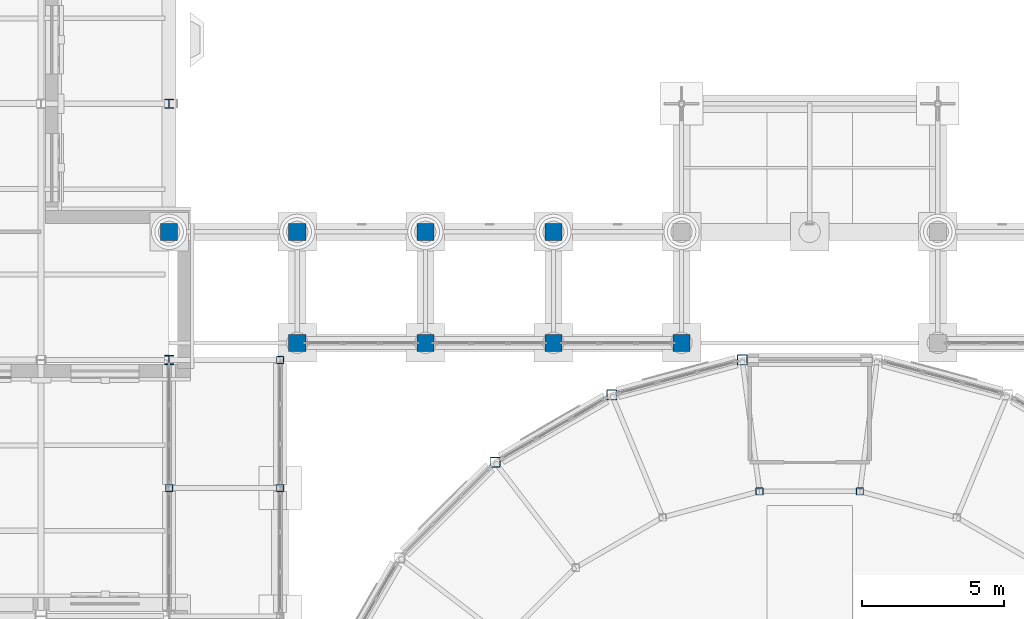
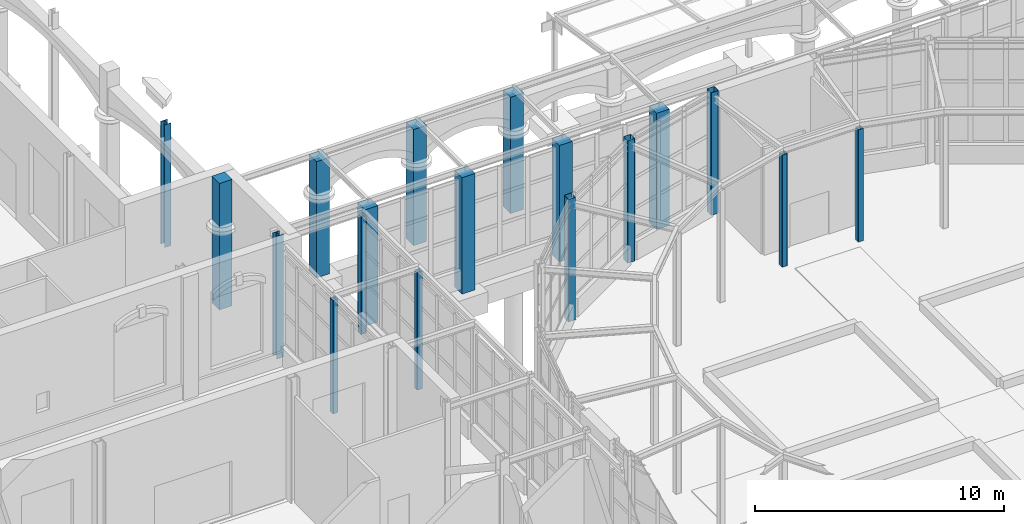
# One storey, part 12 of 106: 18 columns.
"""IFC4 building model written with IfcOpenShell, lengths in metres."""

from ifc_helpers import new_model, si_unit, direction, frame, origin, origin_2d, place, context, subcontext, project, spatial, rectangle, hollow_rectangle, i_section, extrude, material, material_profile, profile_set, type_object, element, save


model = new_model("IFC4")

# Units and contexts
model_context = context("Model", 3, precision=1e-05, world=origin(), true_north=direction((0.0, 1.0)))
body_context = subcontext(model_context, "Body", "Model", "MODEL_VIEW")
ifc_project = project(units=[si_unit("LENGTHUNIT", "METRE"), si_unit("AREAUNIT", "SQUARE_METRE"), si_unit("VOLUMEUNIT", "CUBIC_METRE"), si_unit("PLANEANGLEUNIT", "RADIAN"), si_unit("MASSUNIT", "GRAM", prefix="KILO")], contexts=[model_context])

# Site, building, storey
site_placement = place(None, origin())
site = spatial("IfcSite", under=ifc_project, at=site_placement, CompositionType="ELEMENT")
building_placement = place(site_placement, origin())
building = spatial("IfcBuilding", under=site, at=building_placement, Name="Hortulan Conservatory and Botanical Research Centre", CompositionType="ELEMENT")
storey_placement = place(building_placement, origin())
storey = spatial("IfcBuildingStorey", under=building, at=storey_placement, Name="L00", CompositionType="ELEMENT", Elevation=0.0)

# Columns
ifc_material_1 = material(Name="Steel Grade C450L0 (450 MPa, AS/NZS 1163)", Category="steel")
ifc_material_profile_1 = material_profile(ifc_material_1, hollow_rectangle(XDim=0.35009765625, YDim=0.35009765625, WallThickness=0.012451171875, InnerFilletRadius=0.018798828125, OuterFilletRadius=0.03125, at=origin_2d()), Name="350x350x12.5SHS")
ifc_profile_set_1 = profile_set([ifc_material_profile_1], Name="Steel Grade C450L0 (450 MPa, AS/NZS 1163)")
column_type_1 = type_object("IfcColumnType", Name="Dome Drum Column 350x350x12.5 SHS", PredefinedType="COLUMN", material=ifc_profile_set_1)
for number, where, z_axis, x_axis, name in (
    (1, (51.63037109375, 36.0, 0.0), (0.0, 0.0, 1.0), (1.0, 0.0, 0.0), "Dome drum column 07 L00"),
    (2, (47.05224609375, 34.773193359375, 0.0), (0.0, 0.0, 1.0), (1.0, 0.0, 0.0), "Dome drum column 08 L00"),
    (3, (42.94775390625, 32.403564453125, 0.0), (0.0, 0.0, 1.0), (1.0, 0.0, 0.0), "Dome drum column 09 L00"),
):
    element("IfcColumn", number, at=place(storey_placement, frame(where, z_axis=z_axis, x_axis=x_axis)), inside=storey, type_object=column_type_1, Name=name, PredefinedType="COLUMN", context=body_context, shape_type="SweptSolid", body=[
        extrude(hollow_rectangle(XDim=0.35009765625, YDim=0.35009765625, WallThickness=0.012451171875, InnerFilletRadius=0.018798828125, OuterFilletRadius=0.03125, at=origin_2d()), origin(), (0.0, 0.0, 1.0), 6.0),
    ])
ifc_material_profile_2 = material_profile(ifc_material_1, hollow_rectangle(XDim=0.25, YDim=0.25, WallThickness=0.009033203125, InnerFilletRadius=0.013427734375, OuterFilletRadius=0.0224609375, at=origin_2d()), Name="250x250x9SHS")
ifc_profile_set_2 = profile_set([ifc_material_profile_2], Name="Steel Grade C450L0 (450 MPa, AS/NZS 1163)")
column_type_2 = type_object("IfcColumnType", Name="Dome Walk Support Column 250x250x9 SHS", PredefinedType="COLUMN", material=ifc_profile_set_2)
for number, where, z_axis, x_axis, name in (
    (4, (55.76220703125, 31.384521484375, 0.0), (0.0, 0.0, 1.0), (1.0, 0.0, 0.0), "Dome walk support 06 L00"),
    (5, (52.23779296875, 31.384521484375, 0.0), (0.0, 0.0, 1.0), (1.0, 0.0, 0.0), "Dome walk support 07 L00"),
):
    element("IfcColumn", number, at=place(storey_placement, frame(where, z_axis=z_axis, x_axis=x_axis)), inside=storey, type_object=column_type_2, Name=name, PredefinedType="COLUMN", context=body_context, shape_type="SweptSolid", body=[
        extrude(hollow_rectangle(XDim=0.25, YDim=0.25, WallThickness=0.009033203125, InnerFilletRadius=0.013427734375, OuterFilletRadius=0.0224609375, at=origin_2d()), origin(), (0.0, 0.0, 1.0), 5.492919921875),
    ])
ifc_material_profile_3 = material_profile(ifc_material_1, hollow_rectangle(XDim=0.25, YDim=0.25, WallThickness=0.009033203125, InnerFilletRadius=0.013427734375, OuterFilletRadius=0.0224609375, at=origin_2d()), Name="250x250x9SHS")
ifc_profile_set_3 = profile_set([ifc_material_profile_3], Name="Steel Grade C450L0 (450 MPa, AS/NZS 1163)")
column_type_3 = type_object("IfcColumnType", Name="Head Link Column 250x250x9 SHS", PredefinedType="COLUMN", material=ifc_profile_set_3)
column_1_placement = place(storey_placement, frame((31.5, 31.5, 0.0), z_axis=(0.0, 0.0, 1.0), x_axis=(1.0, 0.0, 0.0)))
element("IfcColumn", 6, at=column_1_placement, inside=storey, type_object=column_type_3, Name="Head link column P-31.5-31.5 L00", PredefinedType="COLUMN", context=body_context, shape_type="SweptSolid", body=[
    extrude(hollow_rectangle(XDim=0.25, YDim=0.25, WallThickness=0.009033203125, InnerFilletRadius=0.013427734375, OuterFilletRadius=0.0224609375, at=origin_2d()), origin(), (0.0, 0.0, 1.0), 5.5458984375),
])
for number, where, z_axis, x_axis, name in (
    (7, (35.39990234375, 31.5, -0.199951171875), (0.0, 0.0, 1.0), (1.0, 0.0, 0.0), "Head link column P-35.4-31.5 L00"),
    (8, (35.39990234375, 36.0, -0.199951171875), (0.0, 0.0, 1.0), (1.0, 0.0, 0.0), "Head link column P-35.4-36.0 L00"),
):
    element("IfcColumn", number, at=place(storey_placement, frame(where, z_axis=z_axis, x_axis=x_axis)), inside=storey, type_object=column_type_3, Name=name, PredefinedType="COLUMN", context=body_context, shape_type="SweptSolid", body=[
        extrude(hollow_rectangle(XDim=0.25, YDim=0.25, WallThickness=0.009033203125, InnerFilletRadius=0.013427734375, OuterFilletRadius=0.0224609375, at=origin_2d()), origin(), (0.0, 0.0, 1.0), 5.745849609375),
    ])
ifc_material_2 = material(Name="Sandstone masonry (25 MPa, AS 3700)", Category="masonry")
ifc_material_profile_4 = material_profile(ifc_material_2, rectangle(XDim=0.60009765625, YDim=0.60009765625, at=origin_2d()), Name="Square pier 600")
ifc_profile_set_4 = profile_set([ifc_material_profile_4], Name="Sandstone masonry (25 MPa, AS 3700)")
column_type_4 = type_object("IfcColumnType", Name="Sandstone Arcade Pier 600x600", PredefinedType="COLUMN", material=ifc_profile_set_4)
column_2_placement = place(storey_placement, frame((31.5, 40.5, -0.199951171875), z_axis=(0.0, 0.0, 1.0), x_axis=(1.0, 0.0, 0.0)))
element("IfcColumn", 9, at=column_2_placement, inside=storey, type_object=column_type_4, Name="Sandstone arcade pier P-31.5-40.5 L00", PredefinedType="COLUMN", context=body_context, shape_type="SweptSolid", body=[
    extrude(rectangle(XDim=0.60009765625, YDim=0.60009765625, at=origin_2d()), origin(), (0.0, 0.0, 1.0), 6.199951171875),
])
for number, where, z_axis, x_axis, name in (
    (10, (36.0, 40.5, -0.199951171875), (0.0, 0.0, 1.0), (1.0, 0.0, 0.0), "Sandstone arcade pier P-36.0-40.5 L00"),
    (11, (40.5, 40.5, -0.199951171875), (0.0, 0.0, 1.0), (1.0, 0.0, 0.0), "Sandstone arcade pier P-40.5-40.5 L00"),
    (12, (45.0, 40.5, -0.199951171875), (0.0, 0.0, 1.0), (1.0, 0.0, 0.0), "Sandstone arcade pier P-45.0-40.5 L00"),
):
    element("IfcColumn", number, at=place(storey_placement, frame(where, z_axis=z_axis, x_axis=x_axis)), inside=storey, type_object=column_type_4, Name=name, PredefinedType="COLUMN", context=body_context, shape_type="SweptSolid", body=[
        extrude(rectangle(XDim=0.60009765625, YDim=0.60009765625, at=origin_2d()), origin(), (0.0, 0.0, 1.0), 5.696044921875),
    ])
for number, where, z_axis, x_axis, name in (
    (13, (36.0, 36.60009765625, -0.199951171875), (0.0, 0.0, 1.0), (1.0, 0.0, 0.0), "Sandstone arcade pier R-36.0-36.6 L00"),
    (14, (40.5, 36.60009765625, -0.199951171875), (0.0, 0.0, 1.0), (1.0, 0.0, 0.0), "Sandstone arcade pier R-40.5-36.6 L00"),
    (15, (45.0, 36.60009765625, -0.199951171875), (0.0, 0.0, 1.0), (1.0, 0.0, 0.0), "Sandstone arcade pier R-45.0-36.6 L00"),
    (16, (49.5, 36.60009765625, -0.199951171875), (0.0, 0.0, 1.0), (1.0, 0.0, 0.0), "Sandstone arcade pier R-49.5-36.6 L00"),
):
    element("IfcColumn", number, at=place(storey_placement, frame(where, z_axis=z_axis, x_axis=x_axis)), inside=storey, type_object=column_type_4, Name=name, PredefinedType="COLUMN", context=body_context, shape_type="SweptSolid", body=[
        extrude(rectangle(XDim=0.60009765625, YDim=0.60009765625, at=origin_2d()), origin(), (0.0, 0.0, 1.0), 5.701904296875),
    ])
ifc_material_3 = material(Name="Steel Grade 300PLUS (AS/NZS 3679.1, 280 MPa minimum yield)", Category="steel")
ifc_material_profile_5 = material_profile(ifc_material_3, i_section(OverallWidth=0.30908203125, OverallDepth=0.321044921875, WebThickness=0.013916015625, FlangeThickness=0.021728515625, FilletRadius=0.0166015625, at=origin_2d()), Name="310UC137")
ifc_profile_set_5 = profile_set([ifc_material_profile_5], Name="Steel Grade 300PLUS (AS/NZS 3679.1, 280 MPa minimum yield)")
column_type_5 = type_object("IfcColumnType", Name="Visitor Centre Column 310UC137", PredefinedType="COLUMN", material=ifc_profile_set_5)
for number, where, z_axis, x_axis, name in (
    (17, (31.5, 36.0, 0.0), (0.0, 0.0, 1.0), (1.0, 0.0, 0.0), "310UC137 column"),
    (18, (31.5, 45.0, 0.0), (0.0, 0.0, 1.0), (1.0, 0.0, 0.0), "310UC137 column"),
):
    element("IfcColumn", number, at=place(storey_placement, frame(where, z_axis=z_axis, x_axis=x_axis)), inside=storey, type_object=column_type_5, Name=name, PredefinedType="COLUMN", context=body_context, shape_type="SweptSolid", body=[
        extrude(i_section(OverallWidth=0.30908203125, OverallDepth=0.321044921875, WebThickness=0.013916015625, FlangeThickness=0.021728515625, FilletRadius=0.0166015625, at=origin_2d()), origin(), (0.0, 0.0, 1.0), 6.0),
    ])

save(model, "model.ifc")
